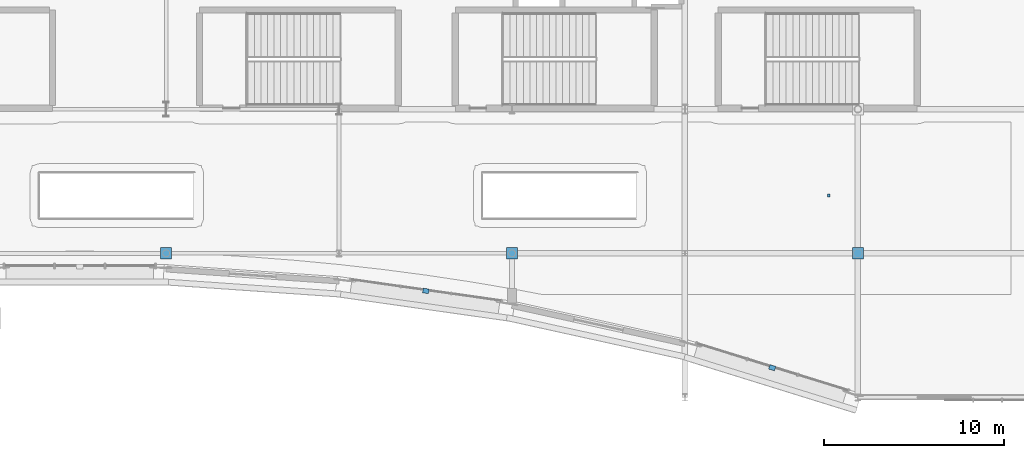
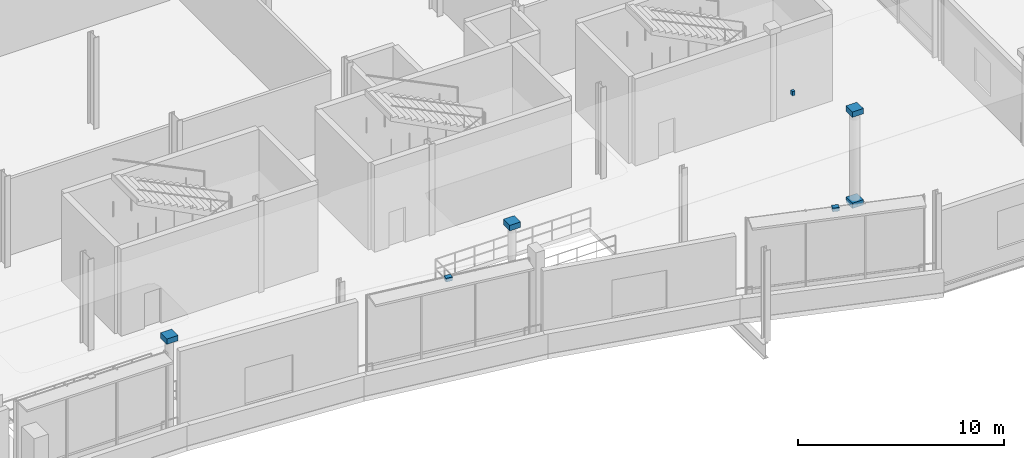
# One storey, part 91 of 129: 7 discrete accessories.
"""IFC4 building model written with IfcOpenShell, lengths in metres."""

from ifc_helpers import new_model, si_unit, direction, frame, origin, origin_2d, place, context, subcontext, project, spatial, rectangle, extrude, material, type_object, element, save


model = new_model("IFC4")

# Units and contexts
model_context = context("Model", 3, precision=1e-05, world=origin(), true_north=direction((0.0, 1.0)))
body_context = subcontext(model_context, "Body", "Model", "MODEL_VIEW")
ifc_project = project(units=[si_unit("LENGTHUNIT", "METRE"), si_unit("AREAUNIT", "SQUARE_METRE"), si_unit("VOLUMEUNIT", "CUBIC_METRE"), si_unit("PLANEANGLEUNIT", "RADIAN"), si_unit("MASSUNIT", "GRAM", prefix="KILO")], contexts=[model_context])

# Site, building, storey
site_placement = place(None, origin())
site = spatial("IfcSite", under=ifc_project, at=site_placement, CompositionType="ELEMENT")
building_placement = place(site_placement, origin())
building = spatial("IfcBuilding", under=site, at=building_placement, Name="Danafjord Basin Convention Centre", CompositionType="ELEMENT")
storey_placement = place(building_placement, frame((0.0, 0.0, 6.0)))
storey = spatial("IfcBuildingStorey", under=building, at=storey_placement, Name="L01", CompositionType="ELEMENT", Elevation=6.0)

# Discrete accessories
ifc_material_1 = material(Name="Stainless steel EN 1.4404", Category="steel")
discrete_accessory_type_1 = type_object("IfcDiscreteAccessoryType", Name="ACC-FIN-BRK", PredefinedType="BRACKET", material=ifc_material_1)
for number, where, z_axis, x_axis, name in (
    (1, (81.619384765625, 5.909423828125, 4.97998046875), (0.0, 0.0, 1.0), (0.990128157327, -0.140165017276, 0.0), "Sunshade tie-back bracket"),
    (2, (100.84814453125, 1.64501953125, 4.97998046875), (0.0, 0.0, 1.0), (0.955044712757, -0.296461796249, 0.0), "Sunshade tie-back bracket"),
):
    element("IfcDiscreteAccessory", number, at=place(storey_placement, frame(where, z_axis=z_axis, x_axis=x_axis)), inside=storey, type_object=discrete_accessory_type_1, Name=name, PredefinedType="BRACKET", context=body_context, shape_type="SweptSolid", body=[
        extrude(rectangle(XDim=0.340087890625, YDim=0.260009765625, at=origin_2d()), origin(), (0.0, 0.0, 1.0), 0.219970703125),
    ])
discrete_accessory_placement = place(storey_placement, frame((103.987060546875, 11.199951171875, 4.91015625), z_axis=(0.0, 0.0, 1.0), x_axis=(1.0, 0.0, 0.0)))
element("IfcDiscreteAccessory", 3, at=discrete_accessory_placement, inside=storey, type_object=discrete_accessory_type_1, Name="Suspended ceiling steel hanger assembly", PredefinedType="BRACKET", context=body_context, shape_type="SweptSolid", body=[
    extrude(rectangle(XDim=0.159912109375, YDim=0.159912109375, at=origin_2d()), origin(), (0.0, 0.0, 1.0), 0.260009765625),
])
ifc_material_2 = material(Name="Steel S355", Category="steel")
discrete_accessory_type_2 = type_object("IfcDiscreteAccessoryType", Name="ACC-SF-HUB", PredefinedType="BRACKET", material=ifc_material_2)
for number, where, z_axis, x_axis, name in (
    (4, (67.199951171875, 8.0, 5.23974609375), (0.0, 0.0, 1.0), (1.0, 0.0, 0.0), "Tubular steel column top cap plate"),
    (5, (86.39990234375, 8.0, 5.23974609375), (0.0, 0.0, 1.0), (1.0, 0.0, 0.0), "Tubular steel column top cap plate"),
    (6, (105.60009765625, 8.0, -0.16015625), (0.0, 0.0, 1.0), (1.0, 0.0, 0.0), "Tubular steel column transition collar"),
    (7, (105.60009765625, 8.0, 5.23974609375), (0.0, 0.0, 1.0), (1.0, 0.0, 0.0), "Tubular steel column top cap plate"),
):
    element("IfcDiscreteAccessory", number, at=place(storey_placement, frame(where, z_axis=z_axis, x_axis=x_axis)), inside=storey, type_object=discrete_accessory_type_2, Name=name, PredefinedType="BRACKET", context=body_context, shape_type="SweptSolid", body=[
        extrude(rectangle(XDim=0.6201171875, YDim=0.6201171875, at=origin_2d()), origin(), (0.0, 0.0, 1.0), 0.320068359375),
    ])

save(model, "model.ifc")
